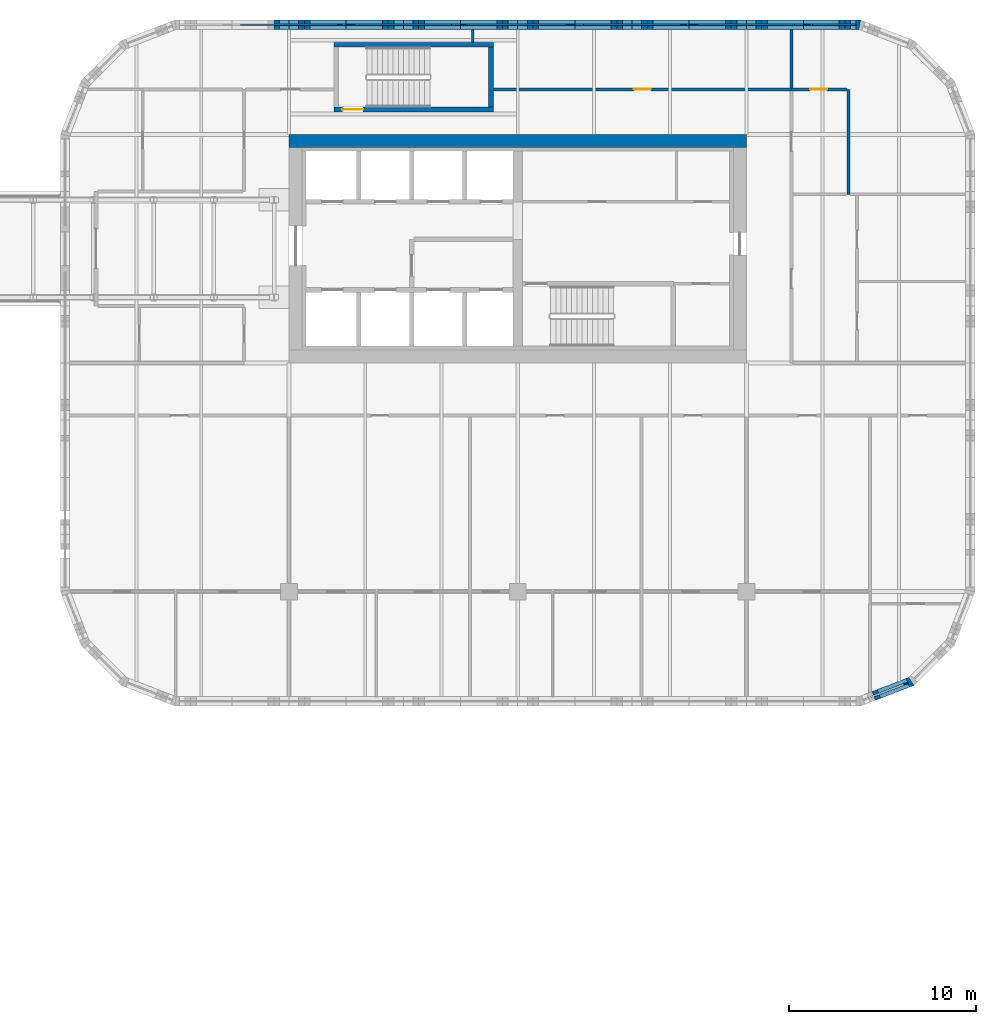
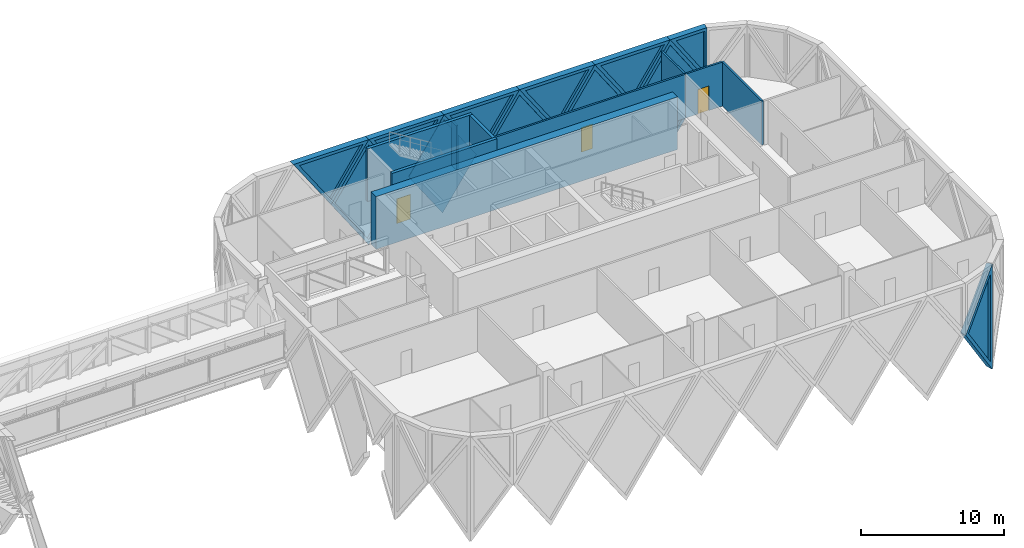
# One storey, part 25 of 30: 21 walls, 12 plates, 3 doors, 15 openings.
"""IFC4 building model written with IfcOpenShell, lengths in metres."""

from ifc_helpers import new_model, si_unit, direction, frame, frame_2d, origin, place, context, subcontext, project, spatial, polyline, rectangle, outline, extrude, faceted_brep, source, transform, mapped, material, layer, layer_set, type_object, element, fill, save


model = new_model("IFC4")

# Units and contexts
model_context = context("Model", 3, precision=1e-05, world=origin(), true_north=direction((0.0, 1.0)))
body_context = subcontext(model_context, "Body", "Model", "MODEL_VIEW")
ifc_project = project(units=[si_unit("LENGTHUNIT", "METRE"), si_unit("AREAUNIT", "SQUARE_METRE"), si_unit("VOLUMEUNIT", "CUBIC_METRE"), si_unit("PLANEANGLEUNIT", "RADIAN"), si_unit("MASSUNIT", "GRAM", prefix="KILO")], contexts=[model_context])

# Site, building, storey
site_placement = place(None, origin())
site = spatial("IfcSite", under=ifc_project, at=site_placement, CompositionType="ELEMENT")
building_placement = place(site_placement, origin())
building = spatial("IfcBuilding", under=site, at=building_placement, Name="Tessera Gate Towers", CompositionType="ELEMENT")
storey_placement = place(building_placement, frame((0.0, 0.0, 21.300048828125)))
storey = spatial("IfcBuildingStorey", under=building, at=storey_placement, Name="L04", CompositionType="ELEMENT", Elevation=21.300048828125)

# Wall, opening, door
ifc_material_1 = material(Name="Concrete C40/50", Category="concrete")
ifc_layer_1 = layer(ifc_material_1, 0.25)
ifc_layer_set_1 = layer_set([ifc_layer_1], Name="CORE ENCLOSURE WALL 250")
wall_type_1 = type_object("IfcWallType", Name="CORE ENCLOSURE WALL 250", PredefinedType="SOLIDWALL", material=ifc_layer_set_1)
wall_1_placement = place(storey_placement, frame((108.5, 50.125, 0.0), z_axis=(0.0, 0.0, 1.0), x_axis=(-1.0, 0.0, 0.0)))
wall_1 = element("IfcWall", 1, at=wall_1_placement, inside=storey, type_object=wall_type_1, Name="L04 ST7 enclosure wall", PredefinedType="SOLIDWALL", context=body_context, shape_type="SweptSolid", body=[
    extrude(rectangle(XDim=8.5, YDim=0.25, at=frame_2d((4.25, 0.0))), origin(), (0.0, 0.0, 1.0), 4.5),
])
shared_shape_1 = source(origin(), body_context, "Body", "SweptSolid", [
    extrude(rectangle(XDim=1.10009765625, YDim=2.10009765625, at=frame_2d((0.550048828125, 1.050048828125))), frame((0.0, 0.135009765625, 0.0), z_axis=(0.0, -1.0, 0.0), x_axis=(1.0, 0.0, 0.0)), (0.0, 0.0, 1.0), 0.27001953125),
])
opening_1_placement = place(wall_1_placement, frame((6.949951171875, 0.0, 0.0)))
opening_1 = element("IfcOpeningElement", 2, at=opening_1_placement, cuts=wall_1, Name="Opening SD-ST7-1", PredefinedType="OPENING", context=body_context, shape_type="MappedRepresentation", body=[
    mapped(shared_shape_1, transform((0.0, 0.0, 0.0), scale=1.0)),
])
ifc_material_2 = material(Name="Hollow steel fire door", Category="steel")
door_type_1 = type_object("IfcDoorType", Name="CORE DOOR SD1100 1100x2100", OperationType="NOTDEFINED", PredefinedType="DOOR", material=ifc_material_2)
shared_shape_2 = source(origin(), body_context, "Body", "SweptSolid", [
    extrude(rectangle(XDim=1.10009765625, YDim=2.10009765625, at=frame_2d((0.550048828125, 1.050048828125))), frame((0.0, 0.02490234375, 0.0), z_axis=(0.0, -1.0, 0.0), x_axis=(1.0, 0.0, 0.0)), (0.0, 0.0, 1.0), 0.050048828125),
])
door_1_placement = place(opening_1_placement, origin())
door_1 = element("IfcDoor", 3, at=door_1_placement, inside=storey, type_object=door_type_1, Name="Stair door", OperationType="SINGLE_SWING_RIGHT", OverallHeight=2.10009765625, OverallWidth=1.10009765625, PredefinedType="DOOR", context=body_context, shape_type="MappedRepresentation", body=[
    mapped(shared_shape_2, transform((0.0, 0.0, 0.0), scale=1.0)),
])
fill(opening_1, door_1)

# Walls
wall_2_placement = place(storey_placement, frame((100.0, 53.574951171875, 0.0), z_axis=(0.0, 0.0, 1.0), x_axis=(1.0, 0.0, 0.0)))
element("IfcWall", 4, at=wall_2_placement, inside=storey, type_object=wall_type_1, Name="L04 ST7 enclosure wall", PredefinedType="SOLIDWALL", context=body_context, shape_type="SweptSolid", body=[
    extrude(rectangle(XDim=8.5, YDim=0.25, at=frame_2d((4.25, 0.0))), origin(), (0.0, 0.0, 1.0), 4.5),
])
wall_3_placement = place(storey_placement, frame((108.375, 53.449951171875, 0.0), z_axis=(0.0, 0.0, 1.0), x_axis=(0.0, -1.0, 0.0)))
element("IfcWall", 5, at=wall_3_placement, inside=storey, type_object=wall_type_1, Name="L04 ST7 enclosure wall", PredefinedType="SOLIDWALL", context=body_context, shape_type="SweptSolid", body=[
    extrude(rectangle(XDim=3.199951171875, YDim=0.25, at=frame_2d((1.60009765625, 0.0))), origin(), (0.0, 0.0, 1.0), 4.5),
])
ifc_material_3 = material(Name="Concrete C60/75", Category="concrete")
ifc_layer_2 = layer(ifc_material_3, 0.699951171875)
ifc_layer_set_2 = layer_set([ifc_layer_2], Name="CORE SHEAR WALL 700 C60/75")
wall_type_2 = type_object("IfcWallType", Name="CORE SHEAR WALL 700 C60/75", PredefinedType="SHEAR", material=ifc_layer_set_2)
wall_4_placement = place(storey_placement, frame((97.60009765625, 48.449951171875, 0.0), z_axis=(0.0, 0.0, 1.0), x_axis=(1.0, 0.0, 0.0)))
element("IfcWall", 6, at=wall_4_placement, inside=storey, type_object=wall_type_2, Name="Core wall N L04", PredefinedType="SHEAR", context=body_context, shape_type="SweptSolid", body=[
    extrude(rectangle(XDim=24.39990234375, YDim=0.699951171875, at=frame_2d((12.199951171875, 0.0))), origin(), (0.0, 0.0, 1.0), 4.5),
])

# Wall, opening, door
ifc_material_4 = material(Name="Gypsum board on steel studs, mineral wool", Category="steel")
ifc_layer_3 = layer(ifc_material_4, 0.14990234375)
ifc_layer_set_3 = layer_set([ifc_layer_3], Name="CORRIDOR WALL 150")
wall_type_3 = type_object("IfcWallType", Name="CORRIDOR WALL 150", PredefinedType="PARTITIONING", material=ifc_layer_set_3)
wall_5_placement = place(storey_placement, frame((108.5, 51.199951171875, 0.0), z_axis=(0.0, 0.0, 1.0), x_axis=(1.0, 0.0, 0.0)))
wall_5 = element("IfcWall", 7, at=wall_5_placement, inside=storey, type_object=wall_type_3, Name="T2-L04-PW-041", PredefinedType="PARTITIONING", context=body_context, shape_type="SweptSolid", body=[
    extrude(rectangle(XDim=15.89990234375, YDim=0.14990234375, at=frame_2d((7.949951171875, 0.0))), origin(), (0.0, 0.0, 1.0), 3.766845703125),
])
shared_shape_3 = source(origin(), body_context, "Body", "SweptSolid", [
    extrude(rectangle(XDim=0.89990234375, YDim=2.10009765625, at=frame_2d((0.449951171875, 1.050048828125))), frame((0.0, 0.0849609375, 0.0), z_axis=(0.0, -1.0, 0.0), x_axis=(1.0, 0.0, 0.0)), (0.0, 0.0, 1.0), 0.169921875),
])
opening_2_placement = place(wall_5_placement, frame((7.5, 0.0, 0.0)))
opening_2 = element("IfcOpeningElement", 8, at=opening_2_placement, cuts=wall_5, Name="Opening D890FD60-B02-09", PredefinedType="OPENING", context=body_context, shape_type="MappedRepresentation", body=[
    mapped(shared_shape_3, transform((0.0, 0.0, 0.0), scale=1.0)),
])
ifc_material_5 = material(Name="Timber door leaf in steel frame", Category="steel")
door_type_2 = type_object("IfcDoorType", Name="CORRIDOR DOOR 900 FD60", OperationType="NOTDEFINED", PredefinedType="DOOR", material=ifc_material_5)
shared_shape_4 = source(origin(), body_context, "Body", "SweptSolid", [
    extrude(rectangle(XDim=0.89990234375, YDim=2.10009765625, at=frame_2d((0.449951171875, 1.050048828125))), frame((0.0, 0.02490234375, 0.0), z_axis=(0.0, -1.0, 0.0), x_axis=(1.0, 0.0, 0.0)), (0.0, 0.0, 1.0), 0.050048828125),
])
door_2_placement = place(opening_2_placement, origin())
door_2 = element("IfcDoor", 9, at=door_2_placement, inside=storey, type_object=door_type_2, Name="T2-L04-PD-026", OperationType="SINGLE_SWING_LEFT", OverallHeight=2.10009765625, OverallWidth=0.89990234375, PredefinedType="DOOR", context=body_context, shape_type="MappedRepresentation", body=[
    mapped(shared_shape_4, transform((0.0, 0.0, 0.0), scale=1.0)),
])
fill(opening_2, door_2)

# Wall
ifc_material_6 = material(Name="Gypsum board on steel studs, mineral wool", Category="steel")
ifc_layer_4 = layer(ifc_material_6, 0.14990234375)
ifc_layer_set_4 = layer_set([ifc_layer_4], Name="TENANCY WALL 150")
wall_type_4 = type_object("IfcWallType", Name="TENANCY WALL 150", PredefinedType="PARTITIONING", material=ifc_layer_set_4)
wall_6_placement = place(storey_placement, frame((127.449951171875, 45.60009765625, 0.0), z_axis=(0.0, 0.0, 1.0), x_axis=(0.0, 1.0, 0.0)))
element("IfcWall", 10, at=wall_6_placement, inside=storey, type_object=wall_type_4, Name="T2-L04-PW-033", PredefinedType="PARTITIONING", context=body_context, shape_type="SweptSolid", body=[
    extrude(rectangle(XDim=5.599853515625, YDim=0.14990234375, at=frame_2d((2.7998046875, 0.0))), origin(), (0.0, 0.0, 1.0), 3.766845703125),
])

# Wall, opening, door
wall_7_placement = place(storey_placement, frame((124.40087890625, 51.199951171875, 0.0), z_axis=(0.0, 0.0, 1.0), x_axis=(1.0, 0.0, 0.0)))
wall_7 = element("IfcWall", 11, at=wall_7_placement, inside=storey, type_object=wall_type_4, Name="T2-L04-PW-042", PredefinedType="PARTITIONING", context=body_context, shape_type="SweptSolid", body=[
    extrude(rectangle(XDim=2.97314453125, YDim=0.14990234375, at=frame_2d((1.486572265625, 0.0))), origin(), (0.0, 0.0, 1.0), 3.766845703125),
])
opening_3_placement = place(wall_7_placement, frame((1.0, 0.0, 0.0)))
opening_3 = element("IfcOpeningElement", 12, at=opening_3_placement, cuts=wall_7, Name="Opening D190-B02-04", PredefinedType="OPENING", context=body_context, shape_type="MappedRepresentation", body=[
    mapped(shared_shape_3, transform((0.0, 0.0, 0.0), scale=1.0)),
])
ifc_material_7 = material(Name="Timber door leaf in steel frame", Category="steel")
door_type_3 = type_object("IfcDoorType", Name="INTERNAL DOOR 900 NOT RATED", OperationType="NOTDEFINED", PredefinedType="DOOR", material=ifc_material_7)
door_3_placement = place(opening_3_placement, origin())
door_3 = element("IfcDoor", 13, at=door_3_placement, inside=storey, type_object=door_type_3, Name="T2-L04-PD-021", OperationType="SINGLE_SWING_LEFT", OverallHeight=2.10009765625, OverallWidth=0.89990234375, PredefinedType="DOOR", context=body_context, shape_type="MappedRepresentation", body=[
    mapped(shared_shape_4, transform((0.0, 0.0, 0.0), scale=1.0)),
])
fill(opening_3, door_3)

# Walls
wall_8_placement = place(storey_placement, frame((124.39990234375, 51.27587890625, 0.0), z_axis=(0.0, 0.0, 1.0), x_axis=(0.0, 1.0, 0.0)))
element("IfcWall", 14, at=wall_8_placement, inside=storey, type_object=wall_type_4, Name="T2-L04-PW-043", PredefinedType="PARTITIONING", context=body_context, shape_type="SweptSolid", body=[
    extrude(rectangle(XDim=3.1240234375, YDim=0.14990234375, at=frame_2d((1.56201171875, 0.0))), origin(), (0.0, 0.0, 1.0), 3.766845703125),
])
wall_9_placement = place(storey_placement, frame((107.39990234375, 53.699951171875, 0.0), z_axis=(0.0, 0.0, 1.0), x_axis=(0.0, 1.0, 0.0)))
element("IfcWall", 15, at=wall_9_placement, inside=storey, type_object=wall_type_4, Name="T2-L04-PW-044", PredefinedType="PARTITIONING", context=body_context, shape_type="SweptSolid", body=[
    extrude(rectangle(XDim=0.699951171875, YDim=0.14990234375, at=frame_2d((0.35009765625, 0.0))), origin(), (0.0, 0.0, 1.0), 3.766845703125),
])

# Wall, opening, plate
ifc_material_8 = material(Name="Precast concrete C60/75 white", Category="concrete")
ifc_layer_5 = layer(ifc_material_8, 0.5)
ifc_layer_set_5 = layer_set([ifc_layer_5], Name="TS1 tessera")
wall_type_5 = type_object("IfcWallType", Name="TS1 tessera", PredefinedType="SOLIDWALL", material=ifc_layer_set_5)
shared_shape_5 = source(origin(), body_context, "Body", "Brep", [
    faceted_brep([(3.00341796875, -0.25, 0.0), (6.053466796875, -0.25, 4.5), (3.00341796875, -0.25, 9.0), (0.0, -0.25, 4.5), (0.046630859375, 0.25, 4.56982421875), (3.00341796875, 0.25, 9.0), (6.053466796875, 0.25, 4.5), (3.00341796875, 0.25, 0.0), (0.046630859375, 0.25, 4.43017578125), (0.0, 0.0, 4.5)], [[[0, 1, 2, 3]], [[4, 5, 6, 7, 8]], [[7, 6, 1, 0]], [[6, 5, 2, 1]], [[5, 4, 9, 3, 2]], [[8, 7, 0, 3, 9]], [[8, 9, 4]]]),
])
wall_10_placement = place(storey_placement, frame((128.053466796875, 54.64990234375, -4.5), z_axis=(0.0, 0.0, 1.0), x_axis=(-1.0, 0.0, 0.0)))
wall_10 = element("IfcWall", 16, at=wall_10_placement, inside=storey, type_object=wall_type_5, Name="Precast tessera T2 TS1-0010", PredefinedType="SOLIDWALL", context=body_context, shape_type="MappedRepresentation", body=[
    mapped(shared_shape_5, transform((0.0, 0.0, 0.0), scale=1.0)),
])
shared_shape_6 = source(origin(), body_context, "Body", "SweptSolid", [
    extrude(outline(polyline([(3.005126953125, 0.447998046875), (5.75146484375, 4.5), (3.005126953125, 8.552001953125), (0.300537109375, 4.5), (3.005126953125, 0.447998046875)])), frame((0.0, 0.260009765625, 0.0), z_axis=(0.0, -1.0, 0.0), x_axis=(1.0, 0.0, 0.0)), (0.0, 0.0, 1.0), 0.52001953125),
])
opening_4_placement = place(wall_10_placement, origin())
opening_4 = element("IfcOpeningElement", 17, at=opening_4_placement, cuts=wall_10, Name="Opening T2-PL2-0018", PredefinedType="OPENING", context=body_context, shape_type="MappedRepresentation", body=[
    mapped(shared_shape_6, transform((0.0, 0.0, 0.0), scale=1.0)),
])
ifc_material_9 = material(Name="Low-e laminated glass", Category="glass")
ifc_layer_6 = layer(ifc_material_9, 0.06005859375)
ifc_layer_set_6 = layer_set([ifc_layer_6], Name="PL2 rhombic pane")
plate_type_1 = type_object("IfcPlateType", Name="PL2 rhombic pane", PredefinedType="SHEET", material=ifc_layer_set_6)
shared_shape_7 = source(origin(), body_context, "Body", "SweptSolid", [
    extrude(outline(polyline([(3.005126953125, 0.447998046875), (5.75146484375, 4.5), (3.005126953125, 8.552001953125), (0.300537109375, 4.5), (3.005126953125, 0.447998046875)])), frame((0.0, 0.030029296875, 0.0), z_axis=(0.0, -1.0, 0.0), x_axis=(1.0, 0.0, 0.0)), (0.0, 0.0, 1.0), 0.06005859375),
])
plate_1_placement = place(opening_4_placement, origin())
plate_1 = element("IfcPlate", 18, at=plate_1_placement, inside=storey, type_object=plate_type_1, Name="Glass pane T2 PL2-0018", PredefinedType="SHEET", context=body_context, shape_type="MappedRepresentation", body=[
    mapped(shared_shape_7, transform((0.0, 0.0, 0.0), scale=1.0)),
])
fill(opening_4, plate_1)

shared_shape_8 = source(origin(), body_context, "Body", "Brep", [
    faceted_brep([(3.050048828125, -0.25, 0.0), (6.099853515625, -0.25, 4.499755859375), (6.099853515625, -0.25, 4.500244140625), (3.050048828125, -0.25, 9.0), (0.0, -0.25, 4.5), (0.0, 0.25, 4.5), (3.050048828125, 0.25, 9.0), (6.099853515625, 0.25, 4.500244140625), (6.099853515625, 0.25, 4.499755859375), (3.050048828125, 0.25, 0.0)], [[[0, 1, 2, 3, 4]], [[5, 6, 7, 8, 9]], [[9, 8, 1, 0]], [[7, 6, 3, 2]], [[6, 5, 4, 3]], [[5, 9, 0, 4]], [[1, 8, 7, 2]]]),
])
wall_11_placement = place(storey_placement, frame((115.89990234375, 54.64990234375, -4.5), z_axis=(0.0, 0.0, 1.0), x_axis=(-1.0, 0.0, 0.0)))
wall_11 = element("IfcWall", 19, at=wall_11_placement, inside=storey, type_object=wall_type_5, Name="Precast tessera T2 TS1-0012", PredefinedType="SOLIDWALL", context=body_context, shape_type="MappedRepresentation", body=[
    mapped(shared_shape_8, transform((0.0, 0.0, 0.0), scale=1.0)),
])
shared_shape_9 = source(origin(), body_context, "Body", "SweptSolid", [
    extrude(outline(polyline([(3.050048828125, 0.445556640625), (5.798095703125, 4.5), (3.050048828125, 8.554443359375), (0.302001953125, 4.5), (3.050048828125, 0.445556640625)])), frame((0.0, 0.260009765625, 0.0), z_axis=(0.0, -1.0, 0.0), x_axis=(1.0, 0.0, 0.0)), (0.0, 0.0, 1.0), 0.52001953125),
])
opening_5_placement = place(wall_11_placement, origin())
opening_5 = element("IfcOpeningElement", 20, at=opening_5_placement, cuts=wall_11, Name="Opening T2-PL2-0020", PredefinedType="OPENING", context=body_context, shape_type="MappedRepresentation", body=[
    mapped(shared_shape_9, transform((0.0, 0.0, 0.0), scale=1.0)),
])
shared_shape_10 = source(origin(), body_context, "Body", "SweptSolid", [
    extrude(outline(polyline([(3.050048828125, 0.445556640625), (5.798095703125, 4.5), (3.050048828125, 8.554443359375), (0.302001953125, 4.5), (3.050048828125, 0.445556640625)])), frame((0.0, 0.030029296875, 0.0), z_axis=(0.0, -1.0, 0.0), x_axis=(1.0, 0.0, 0.0)), (0.0, 0.0, 1.0), 0.06005859375),
])
plate_2_placement = place(opening_5_placement, origin())
plate_2 = element("IfcPlate", 21, at=plate_2_placement, inside=storey, type_object=plate_type_1, Name="Glass pane T2 PL2-0020", PredefinedType="SHEET", context=body_context, shape_type="MappedRepresentation", body=[
    mapped(shared_shape_10, transform((0.0, 0.0, 0.0), scale=1.0)),
])
fill(opening_5, plate_2)

wall_12_placement = place(storey_placement, frame((103.699951171875, 54.64990234375, -4.5), z_axis=(0.0, 0.0, 1.0), x_axis=(-1.0, 0.0, 0.0)))
wall_12 = element("IfcWall", 22, at=wall_12_placement, inside=storey, type_object=wall_type_5, Name="Precast tessera T2 TS1-0014", PredefinedType="SOLIDWALL", context=body_context, shape_type="MappedRepresentation", body=[
    mapped(shared_shape_8, transform((0.0, 0.0, 0.0), scale=1.0)),
])
opening_6_placement = place(wall_12_placement, origin())
opening_6 = element("IfcOpeningElement", 23, at=opening_6_placement, cuts=wall_12, Name="Opening T2-PL2-0022", PredefinedType="OPENING", context=body_context, shape_type="MappedRepresentation", body=[
    mapped(shared_shape_9, transform((0.0, 0.0, 0.0), scale=1.0)),
])
plate_3_placement = place(opening_6_placement, origin())
plate_3 = element("IfcPlate", 24, at=plate_3_placement, inside=storey, type_object=plate_type_1, Name="Glass pane T2 PL2-0022", PredefinedType="SHEET", context=body_context, shape_type="MappedRepresentation", body=[
    mapped(shared_shape_10, transform((0.0, 0.0, 0.0), scale=1.0)),
])
fill(opening_6, plate_3)

shared_shape_11 = source(origin(), body_context, "Body", "SweptSolid", [
    extrude(outline(polyline([(3.050048828125, 0.0), (6.10009765625, 4.5), (3.050048828125, 9.0), (0.0, 4.5), (3.050048828125, 0.0)])), frame((0.0, 0.25, 0.0), z_axis=(0.0, -1.0, 0.0), x_axis=(1.0, 0.0, 0.0)), (0.0, 0.0, 1.0), 0.5),
])
wall_13_placement = place(storey_placement, frame((122.0, 54.64990234375, -4.5), z_axis=(0.0, 0.0, 1.0), x_axis=(-1.0, 0.0, 0.0)))
wall_13 = element("IfcWall", 25, at=wall_13_placement, inside=storey, type_object=wall_type_5, Name="Precast tessera T2 TS1-0011", PredefinedType="SOLIDWALL", context=body_context, shape_type="MappedRepresentation", body=[
    mapped(shared_shape_11, transform((0.0, 0.0, 0.0), scale=1.0)),
])
opening_7_placement = place(wall_13_placement, origin())
opening_7 = element("IfcOpeningElement", 26, at=opening_7_placement, cuts=wall_13, Name="Opening T2-PL2-0019", PredefinedType="OPENING", context=body_context, shape_type="MappedRepresentation", body=[
    mapped(shared_shape_9, transform((0.0, 0.0, 0.0), scale=1.0)),
])
plate_4_placement = place(opening_7_placement, origin())
plate_4 = element("IfcPlate", 27, at=plate_4_placement, inside=storey, type_object=plate_type_1, Name="Glass pane T2 PL2-0019", PredefinedType="SHEET", context=body_context, shape_type="MappedRepresentation", body=[
    mapped(shared_shape_10, transform((0.0, 0.0, 0.0), scale=1.0)),
])
fill(opening_7, plate_4)

wall_14_placement = place(storey_placement, frame((109.800048828125, 54.64990234375, -4.5), z_axis=(0.0, 0.0, 1.0), x_axis=(-1.0, 0.0, 0.0)))
wall_14 = element("IfcWall", 28, at=wall_14_placement, inside=storey, type_object=wall_type_5, Name="Precast tessera T2 TS1-0013", PredefinedType="SOLIDWALL", context=body_context, shape_type="MappedRepresentation", body=[
    mapped(shared_shape_11, transform((0.0, 0.0, 0.0), scale=1.0)),
])
opening_8_placement = place(wall_14_placement, origin())
opening_8 = element("IfcOpeningElement", 29, at=opening_8_placement, cuts=wall_14, Name="Opening T2-PL2-0021", PredefinedType="OPENING", context=body_context, shape_type="MappedRepresentation", body=[
    mapped(shared_shape_9, transform((0.0, 0.0, 0.0), scale=1.0)),
])
plate_5_placement = place(opening_8_placement, origin())
plate_5 = element("IfcPlate", 30, at=plate_5_placement, inside=storey, type_object=plate_type_1, Name="Glass pane T2 PL2-0021", PredefinedType="SHEET", context=body_context, shape_type="MappedRepresentation", body=[
    mapped(shared_shape_10, transform((0.0, 0.0, 0.0), scale=1.0)),
])
fill(opening_8, plate_5)

ifc_material_10 = material(Name="Precast concrete C60/75 white", Category="concrete")
ifc_layer_7 = layer(ifc_material_10, 0.5)
ifc_layer_set_7 = layer_set([ifc_layer_7], Name="TS3 corner tessera")
wall_type_6 = type_object("IfcWallType", Name="TS3 corner tessera", PredefinedType="SOLIDWALL", material=ifc_layer_set_7)
shared_shape_12 = source(origin(), body_context, "Body", "Brep", [
    faceted_brep([(2.950439453125, -0.25, 0.0), (3.00341796875, -0.25, 0.0810546875), (3.00341796875, -0.25, 8.9189453125), (2.950439453125, -0.25, 9.0), (0.0, -0.25, 4.5), (0.046630859375, 0.25, 4.571044921875), (2.897705078125, 0.25, 8.91943359375), (2.897705078125, 0.25, 0.08056640625), (0.046630859375, 0.25, 4.428955078125), (2.950439453125, 0.00048828125, 0.0), (2.950439453125, 0.00048828125, 9.0), (0.0, 0.0, 4.5)], [[[0, 1, 2, 3, 4]], [[5, 6, 7, 8]], [[1, 0, 9]], [[10, 3, 2]], [[6, 5, 11, 4, 3, 10]], [[8, 7, 9, 0, 4, 11]], [[8, 11, 5]], [[1, 9, 7, 6, 10, 2]]]),
])
wall_15_placement = place(storey_placement, frame((128.053466796875, 18.550048828125, -4.5), z_axis=(0.0, 0.0, 1.0), x_axis=(0.933007896601, 0.359855894603, 0.0)))
wall_15 = element("IfcWall", 31, at=wall_15_placement, inside=storey, type_object=wall_type_6, Name="Precast corner tessera T2 TS3-0017", PredefinedType="SOLIDWALL", context=body_context, shape_type="MappedRepresentation", body=[
    mapped(shared_shape_12, transform((0.0, 0.0, 0.0), scale=1.0)),
])
shared_shape_13 = source(origin(), body_context, "Body", "SweptSolid", [
    extrude(outline(polyline([(2.75048828125, 8.239013671875), (0.298828125, 4.5), (2.75048828125, 0.760986328125), (2.75048828125, 8.239013671875)])), frame((0.0, 0.260009765625, 0.0), z_axis=(0.0, -1.0, 0.0), x_axis=(1.0, 0.0, 0.0)), (0.0, 0.0, 1.0), 0.52001953125),
])
opening_9_placement = place(wall_15_placement, origin())
opening_9 = element("IfcOpeningElement", 32, at=opening_9_placement, cuts=wall_15, Name="Opening T2-PL2-0007", PredefinedType="OPENING", context=body_context, shape_type="MappedRepresentation", body=[
    mapped(shared_shape_13, transform((0.0, 0.0, 0.0), scale=1.0)),
])
shared_shape_14 = source(origin(), body_context, "Body", "SweptSolid", [
    extrude(outline(polyline([(2.75048828125, 8.239013671875), (0.298828125, 4.5), (2.75048828125, 0.760986328125), (2.75048828125, 8.239013671875)])), frame((0.0, 0.030029296875, 0.0), z_axis=(0.0, -1.0, 0.0), x_axis=(1.0, 0.0, 0.0)), (0.0, 0.0, 1.0), 0.06005859375),
])
plate_6_placement = place(opening_9_placement, origin())
plate_6 = element("IfcPlate", 33, at=plate_6_placement, inside=storey, type_object=plate_type_1, Name="Glass pane T2 PL2-0007", PredefinedType="SHEET", context=body_context, shape_type="MappedRepresentation", body=[
    mapped(shared_shape_14, transform((0.0, 0.0, 0.0), scale=1.0)),
])
fill(opening_9, plate_6)

shared_shape_15 = source(origin(), body_context, "Body", "Brep", [
    faceted_brep([(0.046630859375, -0.25, 0.0), (3.050048828125, -0.25, 4.5), (0.0, -0.25, 4.5), (0.0, -0.25, 0.071044921875), (0.09326171875, 0.25, 4.5), (3.050048828125, 0.25, 4.5), (0.09326171875, 0.25, 0.06982421875), (0.046630859375, 0.0, 0.0)], [[[0, 1, 2, 3]], [[4, 5, 6]], [[6, 5, 1, 0, 7]], [[5, 4, 2, 1]], [[7, 0, 3]], [[6, 7, 3, 2, 4]]]),
])
wall_16_placement = place(storey_placement, frame((128.10009765625, 54.64990234375, 0.0), z_axis=(0.0, 0.0, 1.0), x_axis=(-1.0, 0.0, 0.0)))
wall_16 = element("IfcWall", 34, at=wall_16_placement, inside=storey, type_object=wall_type_6, Name="Precast corner tessera T2 TS3-0042", PredefinedType="SOLIDWALL", context=body_context, shape_type="MappedRepresentation", body=[
    mapped(shared_shape_15, transform((0.0, 0.0, 0.0), scale=1.0)),
])
shared_shape_16 = source(origin(), body_context, "Body", "SweptSolid", [
    extrude(outline(polyline([(0.24658203125, 0.75), (2.582763671875, 4.25), (0.24658203125, 4.25), (0.24658203125, 0.75)])), frame((0.0, 0.260009765625, 0.0), z_axis=(0.0, -1.0, 0.0), x_axis=(1.0, 0.0, 0.0)), (0.0, 0.0, 1.0), 0.52001953125),
])
opening_10_placement = place(wall_16_placement, origin())
opening_10 = element("IfcOpeningElement", 35, at=opening_10_placement, cuts=wall_16, Name="Opening T2-PL1-0052", PredefinedType="OPENING", context=body_context, shape_type="MappedRepresentation", body=[
    mapped(shared_shape_16, transform((0.0, 0.0, 0.0), scale=1.0)),
])
ifc_material_11 = material(Name="Low-e laminated glass", Category="glass")
ifc_layer_8 = layer(ifc_material_11, 0.06005859375)
ifc_layer_set_8 = layer_set([ifc_layer_8], Name="PL1 triangular pane")
plate_type_2 = type_object("IfcPlateType", Name="PL1 triangular pane", PredefinedType="SHEET", material=ifc_layer_set_8)
shared_shape_17 = source(origin(), body_context, "Body", "SweptSolid", [
    extrude(outline(polyline([(0.24658203125, 0.75), (2.582763671875, 4.25), (0.24658203125, 4.25), (0.24658203125, 0.75)])), frame((0.0, 0.030029296875, 0.0), z_axis=(0.0, -1.0, 0.0), x_axis=(1.0, 0.0, 0.0)), (0.0, 0.0, 1.0), 0.06005859375),
])
plate_7_placement = place(opening_10_placement, origin())
plate_7 = element("IfcPlate", 36, at=plate_7_placement, inside=storey, type_object=plate_type_2, Name="Glass pane T2 PL1-0052", PredefinedType="SHEET", context=body_context, shape_type="MappedRepresentation", body=[
    mapped(shared_shape_17, transform((0.0, 0.0, 0.0), scale=1.0)),
])
fill(opening_10, plate_7)

ifc_material_12 = material(Name="Precast concrete C60/75 white", Category="concrete")
ifc_layer_9 = layer(ifc_material_12, 0.5)
ifc_layer_set_9 = layer_set([ifc_layer_9], Name="TS2 half tessera")
wall_type_7 = type_object("IfcWallType", Name="TS2 half tessera", PredefinedType="SOLIDWALL", material=ifc_layer_set_9)
shared_shape_18 = source(origin(), body_context, "Body", "Brep", [
    faceted_brep([(3.050048828125, -0.25, 0.0), (6.099853515625, -0.25, 4.499755859375), (6.099853515625, -0.25, 4.5), (0.0, -0.25, 4.5), (0.0, 0.25, 4.5), (6.099853515625, 0.25, 4.5), (6.099853515625, 0.25, 4.499755859375), (3.050048828125, 0.25, 0.0)], [[[0, 1, 2, 3]], [[4, 5, 6, 7]], [[7, 6, 1, 0]], [[5, 4, 3, 2]], [[4, 7, 0, 3]], [[1, 6, 5, 2]]]),
])
wall_17_placement = place(storey_placement, frame((118.949951171875, 54.64990234375, 0.0), z_axis=(0.0, 0.0, 1.0), x_axis=(-1.0, 0.0, 0.0)))
wall_17 = element("IfcWall", 37, at=wall_17_placement, inside=storey, type_object=wall_type_7, Name="Precast half tessera T2 TS2-0028", PredefinedType="SOLIDWALL", context=body_context, shape_type="MappedRepresentation", body=[
    mapped(shared_shape_18, transform((0.0, 0.0, 0.0), scale=1.0)),
])
shared_shape_19 = source(origin(), body_context, "Body", "SweptSolid", [
    extrude(outline(polyline([(3.050048828125, 0.445556640625), (5.628662109375, 4.25), (0.471435546875, 4.25), (3.050048828125, 0.445556640625)])), frame((0.0, 0.260009765625, 0.0), z_axis=(0.0, -1.0, 0.0), x_axis=(1.0, 0.0, 0.0)), (0.0, 0.0, 1.0), 0.52001953125),
])
opening_11_placement = place(wall_17_placement, origin())
opening_11 = element("IfcOpeningElement", 38, at=opening_11_placement, cuts=wall_17, Name="Opening T2-PL1-0054", PredefinedType="OPENING", context=body_context, shape_type="MappedRepresentation", body=[
    mapped(shared_shape_19, transform((0.0, 0.0, 0.0), scale=1.0)),
])
shared_shape_20 = source(origin(), body_context, "Body", "SweptSolid", [
    extrude(outline(polyline([(3.050048828125, 0.445556640625), (5.628662109375, 4.25), (0.471435546875, 4.25), (3.050048828125, 0.445556640625)])), frame((0.0, 0.030029296875, 0.0), z_axis=(0.0, -1.0, 0.0), x_axis=(1.0, 0.0, 0.0)), (0.0, 0.0, 1.0), 0.06005859375),
])
plate_8_placement = place(opening_11_placement, origin())
plate_8 = element("IfcPlate", 39, at=plate_8_placement, inside=storey, type_object=plate_type_2, Name="Glass pane T2 PL1-0054", PredefinedType="SHEET", context=body_context, shape_type="MappedRepresentation", body=[
    mapped(shared_shape_20, transform((0.0, 0.0, 0.0), scale=1.0)),
])
fill(opening_11, plate_8)

wall_18_placement = place(storey_placement, frame((100.64990234375, 54.64990234375, 0.0), z_axis=(0.0, 0.0, 1.0), x_axis=(-1.0, 0.0, 0.0)))
wall_18 = element("IfcWall", 40, at=wall_18_placement, inside=storey, type_object=wall_type_7, Name="Precast half tessera T2 TS2-0031", PredefinedType="SOLIDWALL", context=body_context, shape_type="MappedRepresentation", body=[
    mapped(shared_shape_18, transform((0.0, 0.0, 0.0), scale=1.0)),
])
opening_12_placement = place(wall_18_placement, origin())
opening_12 = element("IfcOpeningElement", 41, at=opening_12_placement, cuts=wall_18, Name="Opening T2-PL1-0057", PredefinedType="OPENING", context=body_context, shape_type="MappedRepresentation", body=[
    mapped(shared_shape_19, transform((0.0, 0.0, 0.0), scale=1.0)),
])
plate_9_placement = place(opening_12_placement, origin())
plate_9 = element("IfcPlate", 42, at=plate_9_placement, inside=storey, type_object=plate_type_2, Name="Glass pane T2 PL1-0057", PredefinedType="SHEET", context=body_context, shape_type="MappedRepresentation", body=[
    mapped(shared_shape_20, transform((0.0, 0.0, 0.0), scale=1.0)),
])
fill(opening_12, plate_9)

shared_shape_21 = source(origin(), body_context, "Body", "SweptSolid", [
    extrude(outline(polyline([(3.050048828125, 0.0), (6.10009765625, 4.5), (0.0, 4.5), (3.050048828125, 0.0)])), frame((0.0, 0.25, 0.0), z_axis=(0.0, -1.0, 0.0), x_axis=(1.0, 0.0, 0.0)), (0.0, 0.0, 1.0), 0.5),
])
wall_19_placement = place(storey_placement, frame((125.050048828125, 54.64990234375, 0.0), z_axis=(0.0, 0.0, 1.0), x_axis=(-1.0, 0.0, 0.0)))
wall_19 = element("IfcWall", 43, at=wall_19_placement, inside=storey, type_object=wall_type_7, Name="Precast half tessera T2 TS2-0027", PredefinedType="SOLIDWALL", context=body_context, shape_type="MappedRepresentation", body=[
    mapped(shared_shape_21, transform((0.0, 0.0, 0.0), scale=1.0)),
])
opening_13_placement = place(wall_19_placement, origin())
opening_13 = element("IfcOpeningElement", 44, at=opening_13_placement, cuts=wall_19, Name="Opening T2-PL1-0053", PredefinedType="OPENING", context=body_context, shape_type="MappedRepresentation", body=[
    mapped(shared_shape_19, transform((0.0, 0.0, 0.0), scale=1.0)),
])
plate_10_placement = place(opening_13_placement, origin())
plate_10 = element("IfcPlate", 45, at=plate_10_placement, inside=storey, type_object=plate_type_2, Name="Glass pane T2 PL1-0053", PredefinedType="SHEET", context=body_context, shape_type="MappedRepresentation", body=[
    mapped(shared_shape_20, transform((0.0, 0.0, 0.0), scale=1.0)),
])
fill(opening_13, plate_10)

wall_20_placement = place(storey_placement, frame((112.85009765625, 54.64990234375, 0.0), z_axis=(0.0, 0.0, 1.0), x_axis=(-1.0, 0.0, 0.0)))
wall_20 = element("IfcWall", 46, at=wall_20_placement, inside=storey, type_object=wall_type_7, Name="Precast half tessera T2 TS2-0029", PredefinedType="SOLIDWALL", context=body_context, shape_type="MappedRepresentation", body=[
    mapped(shared_shape_21, transform((0.0, 0.0, 0.0), scale=1.0)),
])
opening_14_placement = place(wall_20_placement, origin())
opening_14 = element("IfcOpeningElement", 47, at=opening_14_placement, cuts=wall_20, Name="Opening T2-PL1-0055", PredefinedType="OPENING", context=body_context, shape_type="MappedRepresentation", body=[
    mapped(shared_shape_19, transform((0.0, 0.0, 0.0), scale=1.0)),
])
plate_11_placement = place(opening_14_placement, origin())
plate_11 = element("IfcPlate", 48, at=plate_11_placement, inside=storey, type_object=plate_type_2, Name="Glass pane T2 PL1-0055", PredefinedType="SHEET", context=body_context, shape_type="MappedRepresentation", body=[
    mapped(shared_shape_20, transform((0.0, 0.0, 0.0), scale=1.0)),
])
fill(opening_14, plate_11)

wall_21_placement = place(storey_placement, frame((106.75, 54.64990234375, 0.0), z_axis=(0.0, 0.0, 1.0), x_axis=(-1.0, 0.0, 0.0)))
wall_21 = element("IfcWall", 49, at=wall_21_placement, inside=storey, type_object=wall_type_7, Name="Precast half tessera T2 TS2-0030", PredefinedType="SOLIDWALL", context=body_context, shape_type="MappedRepresentation", body=[
    mapped(shared_shape_21, transform((0.0, 0.0, 0.0), scale=1.0)),
])
opening_15_placement = place(wall_21_placement, origin())
opening_15 = element("IfcOpeningElement", 50, at=opening_15_placement, cuts=wall_21, Name="Opening T2-PL1-0056", PredefinedType="OPENING", context=body_context, shape_type="MappedRepresentation", body=[
    mapped(shared_shape_19, transform((0.0, 0.0, 0.0), scale=1.0)),
])
plate_12_placement = place(opening_15_placement, origin())
plate_12 = element("IfcPlate", 51, at=plate_12_placement, inside=storey, type_object=plate_type_2, Name="Glass pane T2 PL1-0056", PredefinedType="SHEET", context=body_context, shape_type="MappedRepresentation", body=[
    mapped(shared_shape_20, transform((0.0, 0.0, 0.0), scale=1.0)),
])
fill(opening_15, plate_12)

save(model, "model.ifc")
